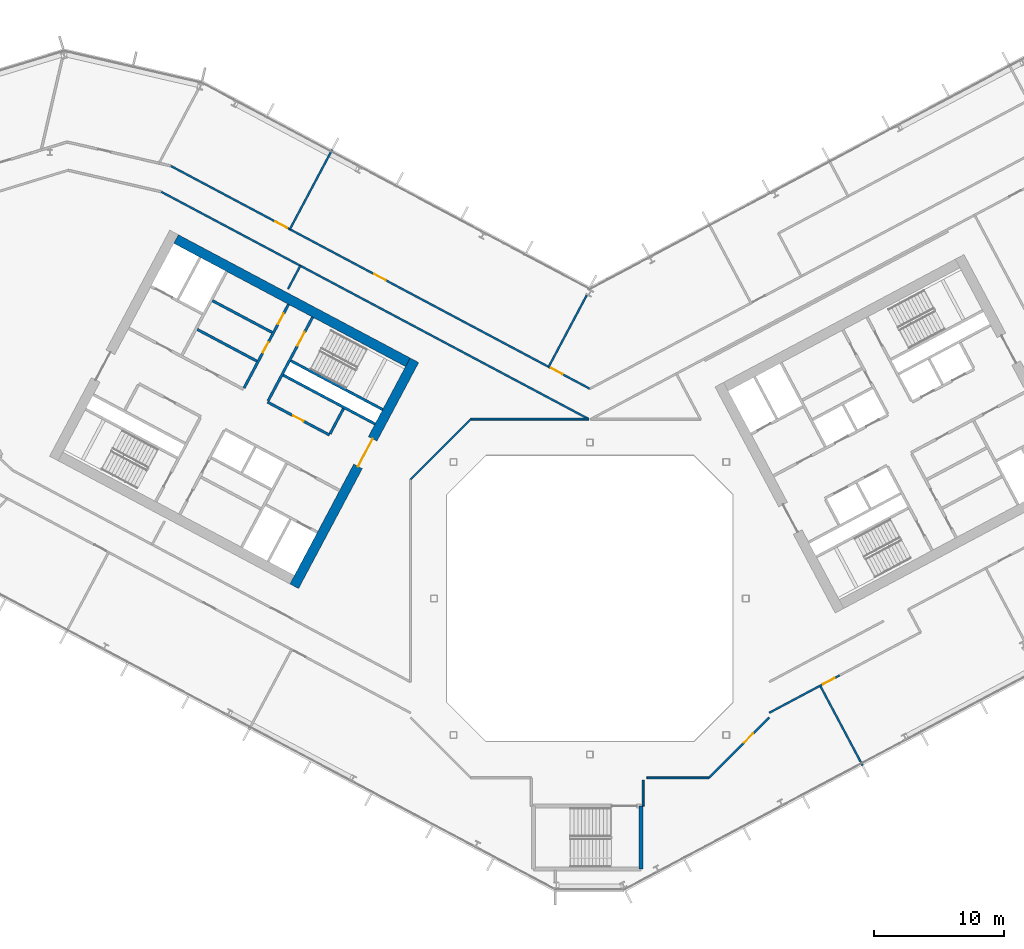
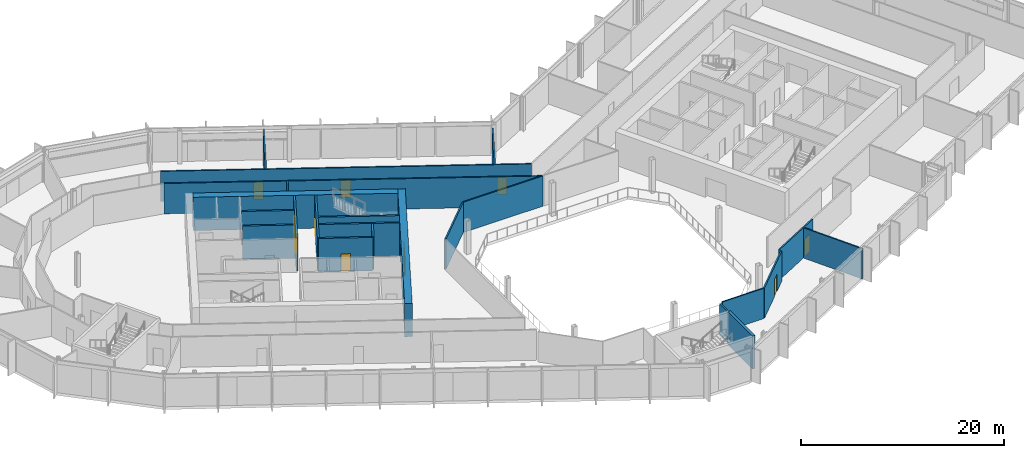
# One storey, part 15 of 28: 24 walls, 10 doors, 10 openings.
"""IFC4 building model written with IfcOpenShell, lengths in metres."""

import ifcopenshell
import ifcopenshell.guid

model = None  # the IFC model being written
_history = None  # IfcOwnerHistory: only IFC2X3 demands one
_inside = {}  # id of a spatial element -> (the spatial element, [elements in it])
_under = {}  # id of a project, library or spatial element -> (it, [spatial elements below it])
_declared = {}  # id of a project -> (the project, [libraries it declares])
_typed = {}  # id of a type object -> (the type object, [elements of that type])
_made_of = {}  # id of a material, layer set ... -> (it, [elements and type objects made of it])


def new_model(schema):
    """Start an empty IFC model of exactly this schema.

    Asked for "IFC4X3", IfcOpenShell would pick the latest addendum, in which some entities
    have other attributes; the version numbers below select the first issue.
    IFC2X3 requires an IfcOwnerHistory on every rooted entity: one is made here for all.
    """
    global model, _history
    if schema == "IFC4X3":
        model = ifcopenshell.file(schema_version=(4, 3, 0, 0))
    else:
        model = ifcopenshell.file(schema=schema)
    _inside.clear()
    _under.clear()
    _declared.clear()
    _typed.clear()
    _made_of.clear()
    _history = None
    if model.schema == "IFC2X3":
        org = make("IfcOrganization", Name="unknown")
        user = make(
            "IfcPersonAndOrganization",
            ThePerson=make("IfcPerson", FamilyName="unknown"),
            TheOrganization=org,
        )
        app = make(
            "IfcApplication",
            ApplicationDeveloper=org,
            Version="unknown",
            ApplicationFullName="unknown",
            ApplicationIdentifier="unknown",
        )
        _history = make(
            "IfcOwnerHistory",
            OwningUser=user,
            OwningApplication=app,
            ChangeAction="ADDED",
            CreationDate=0,
        )
    return model


def make(cls, **values):
    """One entity of the class cls with the attributes given. An attribute that is None is left unset."""
    return model.create_entity(
        cls, **{name: value for name, value in values.items() if value is not None}
    )


def rooted(cls, **values):
    """An entity with a GlobalId (a new one), such as an element, a storey or a relation."""
    return make(cls, GlobalId=ifcopenshell.guid.new(), OwnerHistory=_history, **values)


def si_unit(unit_type, name, prefix=None):
    """IfcSIUnit, for example si_unit("LENGTHUNIT", "METRE", prefix="MILLI")."""
    return make("IfcSIUnit", UnitType=unit_type, Prefix=prefix, Name=name)


def assignment(units):
    """IfcUnitAssignment: the units of a project."""
    return None if units is None else make("IfcUnitAssignment", Units=units)


def point(xyz):
    """IfcCartesianPoint."""
    return None if xyz is None else make("IfcCartesianPoint", Coordinates=xyz)


def direction(xyz):
    """IfcDirection."""
    return None if xyz is None else make("IfcDirection", DirectionRatios=xyz)


def frame(location, z_axis=None, x_axis=None):
    """IfcAxis2Placement3D, a coordinate frame: its origin and axes. An axis left out is left unset."""
    return make(
        "IfcAxis2Placement3D",
        Location=point(location),
        Axis=direction(z_axis),
        RefDirection=direction(x_axis),
    )


def frame_2d(location, x_axis=None):
    """IfcAxis2Placement2D, a coordinate frame in the plane: its origin and x axis."""
    return make(
        "IfcAxis2Placement2D", Location=point(location), RefDirection=direction(x_axis)
    )


def origin():
    """The frame at (0, 0, 0) with its axes left unset."""
    return frame((0.0, 0.0, 0.0))


def place(relative_to, where):
    """IfcLocalPlacement: puts the frame where relative to a parent placement (None: the world)."""
    return make(
        "IfcLocalPlacement", PlacementRelTo=relative_to, RelativePlacement=where
    )


def context(
    kind, dimensions, precision=None, world=None, true_north=None, identifier=None
):
    """IfcGeometricRepresentationContext, for example the 3D "Model" context."""
    return make(
        "IfcGeometricRepresentationContext",
        ContextIdentifier=identifier,
        ContextType=kind,
        CoordinateSpaceDimension=dimensions,
        Precision=precision,
        WorldCoordinateSystem=world,
        TrueNorth=true_north,
    )


def subcontext(parent, identifier, kind, view, scale=None):
    """IfcGeometricRepresentationSubContext, for example "Body" below "Model"."""
    return make(
        "IfcGeometricRepresentationSubContext",
        ContextIdentifier=identifier,
        ContextType=kind,
        ParentContext=parent,
        TargetScale=scale,
        TargetView=view,
    )


def project(units=None, contexts=None):
    """IfcProject with its units and contexts."""
    return rooted(
        "IfcProject",
        Name="project",
        RepresentationContexts=contexts,
        UnitsInContext=assignment(units),
    )


def spatial(cls, under=None, at=None, **own):
    """A site, building, storey or space (cls), placed at a placement, below another one or the project."""
    s = rooted(cls, ObjectPlacement=at, **own)
    if under is not None:
        _under.setdefault(under.id(), (under, []))[1].append(s)
    return s


def profile(cls, at=None, kind="AREA", **sizes):
    """A parametric profile (cls). Its sizes go by their IFC names, for example OverallWidth=200.0."""
    return make(cls, ProfileType=kind, Position=at, **sizes)


def rectangle(**sizes):
    """IfcRectangleProfileDef."""
    return profile("IfcRectangleProfileDef", **sizes)


def extrude(swept, where, along, depth):
    """IfcExtrudedAreaSolid: the profile swept, set in the frame where, extruded along a direction by depth."""
    return make(
        "IfcExtrudedAreaSolid",
        SweptArea=swept,
        Position=where,
        ExtrudedDirection=direction(along),
        Depth=depth,
    )


def shape(context_of_items, identifier, shape_type, items):
    """IfcShapeRepresentation: the items that make up one representation, for example the "Body"."""
    return make(
        "IfcShapeRepresentation",
        ContextOfItems=context_of_items,
        RepresentationIdentifier=identifier,
        RepresentationType=shape_type,
        Items=items,
    )


def material(Name=None, Category=None):
    """IfcMaterial."""
    return make("IfcMaterial", Name=Name, Category=Category)


def layer(
    of_material, thickness, ventilated=None, Name=None, Category=None, Priority=None
):
    """IfcMaterialLayer: one layer of a wall or slab, of a material (None: an air gap)."""
    return make(
        "IfcMaterialLayer",
        Material=of_material,
        LayerThickness=thickness,
        IsVentilated=ventilated,
        Name=Name,
        Category=Category,
        Priority=Priority,
    )


def layer_set(layers, Name=None):
    """IfcMaterialLayerSet."""
    return make("IfcMaterialLayerSet", MaterialLayers=layers, LayerSetName=Name)


def made_of(thing, what):
    """Note that an element or type object is made of a material, layer set ...; save() writes the relation."""
    if what is not None:
        _made_of.setdefault(what.id(), (what, []))[1].append(thing)
    return thing


def type_object(cls, material=None, **own):
    """A type object (cls), such as IfcWallType, which elements share."""
    return made_of(rooted(cls, **own), material)


def element(
    cls,
    number,
    at=None,
    inside=None,
    cuts=None,
    type_object=None,
    material=None,
    context=None,
    identifier="Body",
    shape_type=None,
    held_by="IfcProductDefinitionShape",
    body=None,
    shapes=None,
    **own,
):
    """One element of the class cls, such as IfcWall. Its Tag is "e" and its number.

    at: its placement. inside: the storey or other place that contains it. cuts: it is an
    opening in that element (IfcRelVoidsElement). A single representation is given by context,
    identifier, shape_type and body (its items); several are given by shapes. held_by: the class
    of the entity that holds the representations. save() writes the other relations.
    """
    e = rooted(cls, Tag="e%d" % number, ObjectPlacement=at, **own)
    if body is not None:
        shapes = [shape(context, identifier, shape_type, body)]
    if shapes is not None:
        e.Representation = make(held_by, Representations=shapes)
    if inside is not None:
        _inside.setdefault(inside.id(), (inside, []))[1].append(e)
    if cuts is not None:
        rooted(
            "IfcRelVoidsElement", RelatingBuildingElement=cuts, RelatedOpeningElement=e
        )
    if type_object is not None:
        _typed.setdefault(type_object.id(), (type_object, []))[1].append(e)
    return made_of(e, material)


def fill(opening, filler):
    """IfcRelFillsElement: the door or window that sits in an opening."""
    return rooted(
        "IfcRelFillsElement",
        RelatingOpeningElement=opening,
        RelatedBuildingElement=filler,
    )


def aggregate(whole, parts):
    """IfcRelAggregates: a whole, such as a stair, and the parts it consists of."""
    return rooted("IfcRelAggregates", RelatingObject=whole, RelatedObjects=parts)


def save(model, path):
    """Write the relations noted so far, then the file.

    IfcRelAggregates (storeys below a building ...), IfcRelContainedInSpatialStructure (elements
    in a storey), IfcRelDefinesByType, IfcRelAssociatesMaterial and IfcRelDeclares: one each for
    every whole, place, type object, material and project.
    """
    for whole, parts in _under.values():
        aggregate(whole, parts)
    for where, things in _inside.values():
        rooted(
            "IfcRelContainedInSpatialStructure",
            RelatedElements=things,
            RelatingStructure=where,
        )
    for kind, things in _typed.values():
        rooted("IfcRelDefinesByType", RelatedObjects=things, RelatingType=kind)
    for what, things in _made_of.values():
        rooted("IfcRelAssociatesMaterial", RelatedObjects=things, RelatingMaterial=what)
    for by, libraries in _declared.values():
        rooted("IfcRelDeclares", RelatingContext=by, RelatedDefinitions=libraries)
    model.write(path)


model = new_model("IFC4")

# Units and contexts
model_context = context("Model", 3, precision=1e-05, world=origin(), true_north=direction((0.0, 1.0)))
body_context = subcontext(model_context, "Body", "Model", "MODEL_VIEW")
ifc_project = project(units=[si_unit("LENGTHUNIT", "METRE"), si_unit("AREAUNIT", "SQUARE_METRE"), si_unit("VOLUMEUNIT", "CUBIC_METRE"), si_unit("PLANEANGLEUNIT", "RADIAN"), si_unit("MASSUNIT", "GRAM", prefix="KILO")], contexts=[model_context])

# Site, building, storey
site_placement = place(None, origin())
site = spatial("IfcSite", under=ifc_project, at=site_placement, CompositionType="ELEMENT")
building_placement = place(site_placement, origin())
building = spatial("IfcBuilding", under=site, at=building_placement, Name="Cormorant Relay Tower", CompositionType="ELEMENT")
storey_placement = place(building_placement, frame((0.0, 0.0, 130.199951171875)))
storey = spatial("IfcBuildingStorey", under=building, at=storey_placement, Name="L26", CompositionType="ELEMENT", Elevation=130.199951171875)

# Walls
ifc_material_1 = material(Name="Concrete 40 MPa", Category="concrete")
ifc_layer_1 = layer(ifc_material_1, 0.199951171875)
ifc_layer_set_1 = layer_set([ifc_layer_1], Name="Core internal wall 200")
wall_type_1 = type_object("IfcWallType", Name="Core internal wall 200", PredefinedType="SOLIDWALL", material=ifc_layer_set_1)
wall_1_placement = place(storey_placement, frame((-24.449462890625, 20.474853515625, 0.0), z_axis=(0.0, 0.0, 1.0), x_axis=(-0.882934506056, 0.469496174655, 0.0)))
element("IfcWall", 1, at=wall_1_placement, inside=storey, type_object=wall_type_1, Name="L26 core A shaft and room wall", PredefinedType="SOLIDWALL", context=body_context, shape_type="SweptSolid", body=[
    extrude(rectangle(XDim=5.199951171875, YDim=0.199951171875, at=frame_2d((2.60009765625, 0.0))), origin(), (0.0, 0.0, 1.0), 4.0),
])
ifc_material_2 = material(Name="Concrete 50 MPa", Category="concrete")
ifc_layer_2 = layer(ifc_material_2, 0.199951171875)
ifc_layer_set_2 = layer_set([ifc_layer_2], Name="Core shaft wall 200")
wall_type_2 = type_object("IfcWallType", Name="Core shaft wall 200", PredefinedType="SHEAR", material=ifc_layer_set_2)
wall_2_placement = place(storey_placement, frame((-18.959716796875, 14.611328125, 0.0), z_axis=(0.0, 0.0, 1.0), x_axis=(-0.4694473164, -0.882960484464, 0.0)))
element("IfcWall", 2, at=wall_2_placement, inside=storey, type_object=wall_type_2, Name="L26 core A shaft wall", PredefinedType="SHEAR", context=body_context, shape_type="SweptSolid", body=[
    extrude(rectangle(XDim=2.199951171875, YDim=0.199951171875, at=frame_2d((1.10009765625, 0.0))), origin(), (0.0, 0.0, 1.0), 4.0),
])

# Wall, opening, door
wall_3_placement = place(storey_placement, frame((-21.333251953125, 21.6494140625, 0.0), z_axis=(0.0, 0.0, 1.0), x_axis=(-0.469494272526, -0.882935517501, 0.0)))
wall_3 = element("IfcWall", 3, at=wall_3_placement, inside=storey, type_object=wall_type_2, Name="L26 core A shaft wall", PredefinedType="SHEAR", context=body_context, shape_type="SweptSolid", body=[
    extrude(rectangle(XDim=7.2998046875, YDim=0.199951171875, at=frame_2d((3.64990234375, 0.0))), origin(), (0.0, 0.0, 1.0), 4.0),
])
opening_1_placement = place(wall_3_placement, frame((1.300048828125, 0.0, 0.0)))
opening_1 = element("IfcOpeningElement", 4, at=opening_1_placement, cuts=wall_3, Name="Opening CDB-034", PredefinedType="OPENING", context=body_context, shape_type="SweptSolid", body=[
    extrude(rectangle(XDim=1.199951171875, YDim=2.10009765625, at=frame_2d((0.60009765625, 1.050048828125))), frame((0.0, 0.10986328125, 0.0), z_axis=(0.0, -1.0, 0.0), x_axis=(1.0, 0.0, 0.0)), (0.0, 0.0, 1.0), 0.219970703125),
])
ifc_material_3 = material(Name="Steel fire door", Category="steel")
door_type_1 = type_object("IfcDoorType", Name="Core stair door 1200x2100", OperationType="SINGLE_SWING_LEFT", PredefinedType="DOOR", material=ifc_material_3)
door_1_placement = place(opening_1_placement, origin())
door_1 = element("IfcDoor", 5, at=door_1_placement, inside=storey, type_object=door_type_1, Name="Core stair door 1200x2100", OperationType="SINGLE_SWING_RIGHT", OverallHeight=2.10009765625, OverallWidth=1.199951171875, PredefinedType="DOOR", context=body_context, shape_type="SweptSolid", body=[
    extrude(rectangle(XDim=1.199951171875, YDim=2.10009765625, at=frame_2d((0.60009765625, 1.050048828125))), frame((0.0, 0.02490234375, 0.0), z_axis=(0.0, -1.0, 0.0), x_axis=(1.0, 0.0, 0.0)), (0.0, 0.0, 1.0), 0.050048828125),
])
fill(opening_1, door_1)

# Wall, openings, doors
wall_4_placement = place(storey_placement, frame((-23.1875, 22.635498046875, 0.0), z_axis=(0.0, 0.0, 1.0), x_axis=(-0.469454336211, -0.882956752176, 0.0)))
wall_4 = element("IfcWall", 6, at=wall_4_placement, inside=storey, type_object=wall_type_2, Name="L26 core A shaft wall", PredefinedType="SHEAR", context=body_context, shape_type="SweptSolid", body=[
    extrude(rectangle(XDim=7.300048828125, YDim=0.199951171875, at=frame_2d((3.64990234375, 0.0))), origin(), (0.0, 0.0, 1.0), 4.0),
])
opening_2_placement = place(wall_4_placement, frame((0.800048828125, 0.0, 0.0)))
opening_2 = element("IfcOpeningElement", 7, at=opening_2_placement, cuts=wall_4, Name="Opening CDD-189", PredefinedType="OPENING", context=body_context, shape_type="SweptSolid", body=[
    extrude(rectangle(XDim=0.89990234375, YDim=2.10009765625, at=frame_2d((0.449951171875, 1.050048828125))), frame((0.0, 0.10986328125, 0.0), z_axis=(0.0, -1.0, 0.0), x_axis=(1.0, 0.0, 0.0)), (0.0, 0.0, 1.0), 0.219970703125),
])
opening_3_placement = place(wall_4_placement, frame((3.300048828125, 0.0, 0.0)))
opening_3 = element("IfcOpeningElement", 8, at=opening_3_placement, cuts=wall_4, Name="Opening CDD-190", PredefinedType="OPENING", context=body_context, shape_type="SweptSolid", body=[
    extrude(rectangle(XDim=0.89990234375, YDim=2.10009765625, at=frame_2d((0.449951171875, 1.050048828125))), frame((0.0, 0.10986328125, 0.0), z_axis=(0.0, -1.0, 0.0), x_axis=(1.0, 0.0, 0.0)), (0.0, 0.0, 1.0), 0.219970703125),
])
ifc_material_4 = material(Name="Steel fire door", Category="steel")
door_type_2 = type_object("IfcDoorType", Name="Core room door 900x2100", OperationType="SINGLE_SWING_LEFT", PredefinedType="DOOR", material=ifc_material_4)
door_2_placement = place(opening_2_placement, frame((0.89990234375, 0.0, 0.0), z_axis=(0.0, 0.0, 1.0), x_axis=(-1.0, 0.0, 0.0)))
door_2 = element("IfcDoor", 9, at=door_2_placement, inside=storey, type_object=door_type_2, Name="Core room door 900x2100", OperationType="SINGLE_SWING_LEFT", OverallHeight=2.10009765625, OverallWidth=0.89990234375, PredefinedType="DOOR", context=body_context, shape_type="SweptSolid", body=[
    extrude(rectangle(XDim=0.89990234375, YDim=2.10009765625, at=frame_2d((0.449951171875, 1.050048828125))), frame((0.0, 0.02490234375, 0.0), z_axis=(0.0, -1.0, 0.0), x_axis=(1.0, 0.0, 0.0)), (0.0, 0.0, 1.0), 0.050048828125),
])
fill(opening_2, door_2)
door_3_placement = place(opening_3_placement, frame((0.89990234375, 0.0, 0.0), z_axis=(0.0, 0.0, 1.0), x_axis=(-1.0, 0.0, 0.0)))
door_3 = element("IfcDoor", 10, at=door_3_placement, inside=storey, type_object=door_type_2, Name="Core room door 900x2100", OperationType="SINGLE_SWING_RIGHT", OverallHeight=2.10009765625, OverallWidth=0.89990234375, PredefinedType="DOOR", context=body_context, shape_type="SweptSolid", body=[
    extrude(rectangle(XDim=0.89990234375, YDim=2.10009765625, at=frame_2d((0.449951171875, 1.050048828125))), frame((0.0, 0.02490234375, 0.0), z_axis=(0.0, -1.0, 0.0), x_axis=(1.0, 0.0, 0.0)), (0.0, 0.0, 1.0), 0.050048828125),
])
fill(opening_3, door_3)

# Walls
wall_5_placement = place(storey_placement, frame((-15.94189453125, 14.53564453125, 0.0), z_axis=(0.0, 0.0, 1.0), x_axis=(-0.882946947542, 0.469472776449, 0.0)))
element("IfcWall", 11, at=wall_5_placement, inside=storey, type_object=wall_type_2, Name="L26 core A shaft wall", PredefinedType="SHEAR", context=body_context, shape_type="SweptSolid", body=[
    extrude(rectangle(XDim=8.000244140625, YDim=0.199951171875, at=frame_2d((4.0, 0.0))), origin(), (0.0, 0.0, 1.0), 4.0),
])
wall_6_placement = place(storey_placement, frame((-16.52880859375, 13.43212890625, 0.0), z_axis=(0.0, 0.0, 1.0), x_axis=(-0.88295287151, 0.469461634952, 0.0)))
element("IfcWall", 12, at=wall_6_placement, inside=storey, type_object=wall_type_2, Name="L26 core A shaft wall", PredefinedType="SHEAR", context=body_context, shape_type="SweptSolid", body=[
    extrude(rectangle(XDim=7.999755859375, YDim=0.199951171875, at=frame_2d((4.0, 0.0))), origin(), (0.0, 0.0, 1.0), 4.0),
])
wall_7_placement = place(storey_placement, frame((-25.623046875, 18.267578125, 0.0), z_axis=(0.0, 0.0, 1.0), x_axis=(-0.882953967957, 0.469459572775, 0.0)))
element("IfcWall", 13, at=wall_7_placement, inside=storey, type_object=wall_type_2, Name="L26 core A shaft wall", PredefinedType="SHEAR", context=body_context, shape_type="SweptSolid", body=[
    extrude(rectangle(XDim=5.199951171875, YDim=0.199951171875, at=frame_2d((2.60009765625, 0.0))), origin(), (0.0, 0.0, 1.0), 4.0),
])

# Wall, opening, door
wall_8_placement = place(storey_placement, frame((-20.03955078125, 12.58056640625, 0.0), z_axis=(0.0, 0.0, 1.0), x_axis=(-0.882942972946, 0.469480251476, 0.0)))
wall_8 = element("IfcWall", 14, at=wall_8_placement, inside=storey, type_object=wall_type_2, Name="L26 core A shaft wall", PredefinedType="SHEAR", context=body_context, shape_type="SweptSolid", body=[
    extrude(rectangle(XDim=5.39990234375, YDim=0.199951171875, at=frame_2d((2.699951171875, 0.0))), origin(), (0.0, 0.0, 1.0), 4.0),
])
opening_4_placement = place(wall_8_placement, frame((2.25, 0.0, 0.0)))
opening_4 = element("IfcOpeningElement", 15, at=opening_4_placement, cuts=wall_8, Name="Opening CDD-185", PredefinedType="OPENING", context=body_context, shape_type="SweptSolid", body=[
    extrude(rectangle(XDim=0.89990234375, YDim=2.10009765625, at=frame_2d((0.449951171875, 1.050048828125))), frame((0.0, 0.10986328125, 0.0), z_axis=(0.0, -1.0, 0.0), x_axis=(1.0, 0.0, 0.0)), (0.0, 0.0, 1.0), 0.219970703125),
])
door_4_placement = place(opening_4_placement, frame((0.89990234375, 0.0, 0.0), z_axis=(0.0, 0.0, 1.0), x_axis=(-1.0, 0.0, 0.0)))
door_4 = element("IfcDoor", 16, at=door_4_placement, inside=storey, type_object=door_type_2, Name="Core room door 900x2100", OperationType="SINGLE_SWING_RIGHT", OverallHeight=2.10009765625, OverallWidth=0.89990234375, PredefinedType="DOOR", context=body_context, shape_type="SweptSolid", body=[
    extrude(rectangle(XDim=0.89990234375, YDim=2.10009765625, at=frame_2d((0.449951171875, 1.050048828125))), frame((0.0, 0.02490234375, 0.0), z_axis=(0.0, -1.0, 0.0), x_axis=(1.0, 0.0, 0.0)), (0.0, 0.0, 1.0), 0.050048828125),
])
fill(opening_4, door_4)

ifc_material_5 = material(Name="Concrete 60 MPa", Category="concrete")
ifc_layer_3 = layer(ifc_material_5, 0.75)
ifc_layer_set_3 = layer_set([ifc_layer_3], Name="Core wall 750")
wall_type_3 = type_object("IfcWallType", Name="Core wall 750", PredefinedType="SHEAR", material=ifc_layer_set_3)
wall_9_placement = place(storey_placement, frame((-13.498291015625, 18.3330078125, 0.0), z_axis=(0.0, 0.0, 1.0), x_axis=(-0.469469918705, -0.88294846703, 0.0)))
wall_9 = element("IfcWall", 17, at=wall_9_placement, inside=storey, type_object=wall_type_3, Name="L26 core A wall", PredefinedType="SHEAR", context=body_context, shape_type="SweptSolid", body=[
    extrude(rectangle(XDim=19.699951171875, YDim=0.75, at=frame_2d((9.85009765625, 0.0))), origin(), (0.0, 0.0, 1.0), 4.0),
])
opening_5_placement = place(wall_9_placement, frame((6.85009765625, 0.0, 0.0)))
opening_5 = element("IfcOpeningElement", 18, at=opening_5_placement, cuts=wall_9, Name="Opening CDA-030", PredefinedType="OPENING", context=body_context, shape_type="SweptSolid", body=[
    extrude(rectangle(XDim=2.39990234375, YDim=2.39990234375, at=frame_2d((1.199951171875, 1.199951171875))), frame((0.0, 0.385009765625, 0.0), z_axis=(0.0, -1.0, 0.0), x_axis=(1.0, 0.0, 0.0)), (0.0, 0.0, 1.0), 0.77001953125),
])
ifc_material_6 = material(Name="Steel fire door", Category="steel")
door_type_3 = type_object("IfcDoorType", Name="Core lobby door 2400x2400", OperationType="DOUBLE_DOOR_SINGLE_SWING", PredefinedType="DOOR", material=ifc_material_6)
door_5_placement = place(opening_5_placement, frame((2.39990234375, 0.0, 0.0), z_axis=(0.0, 0.0, 1.0), x_axis=(-1.0, 0.0, 0.0)))
door_5 = element("IfcDoor", 19, at=door_5_placement, inside=storey, type_object=door_type_3, Name="Core lobby door 2400x2400", OperationType="DOUBLE_DOOR_SINGLE_SWING", OverallHeight=2.39990234375, OverallWidth=2.39990234375, PredefinedType="DOOR", context=body_context, shape_type="SweptSolid", body=[
    extrude(rectangle(XDim=2.39990234375, YDim=2.39990234375, at=frame_2d((1.199951171875, 1.199951171875))), frame((0.0, 0.02490234375, 0.0), z_axis=(0.0, -1.0, 0.0), x_axis=(1.0, 0.0, 0.0)), (0.0, 0.0, 1.0), 0.050048828125),
])
fill(opening_5, door_5)

# Walls
wall_10_placement = place(storey_placement, frame((-14.00537109375, 18.177978515625, 0.0), z_axis=(0.0, 0.0, 1.0), x_axis=(-0.88295010195, 0.469466843842, 0.0)))
element("IfcWall", 20, at=wall_10_placement, inside=storey, type_object=wall_type_3, Name="L26 core A wall", PredefinedType="SHEAR", context=body_context, shape_type="SweptSolid", body=[
    extrude(rectangle(XDim=20.199951171875, YDim=0.75, at=frame_2d((10.10009765625, 0.0))), origin(), (0.0, 0.0, 1.0), 4.0),
])
ifc_material_7 = material(Name="Gypsum board fire partition")
ifc_layer_4 = layer(ifc_material_7, 0.14990234375)
ifc_layer_set_4 = layer_set([ifc_layer_4], Name="Corridor partition 150 EI 60")
wall_type_4 = type_object("IfcWallType", Name="Corridor partition 150 EI 60", PredefinedType="PARTITIONING", material=ifc_layer_set_4)
wall_11_placement = place(storey_placement, frame((-33.0, 31.306884765625, 0.0), z_axis=(0.0, 0.0, 1.0), x_axis=(0.882966008295, -0.469436926748, 0.0)))
element("IfcWall", 21, at=wall_11_placement, inside=storey, type_object=wall_type_4, Name="wall/L26/part/023", PredefinedType="PARTITIONING", context=body_context, shape_type="SweptSolid", body=[
    extrude(rectangle(XDim=12.144287109375, YDim=0.14990234375, at=frame_2d((6.072265625, 0.0))), origin(), (0.0, 0.0, 1.0), 3.64013671875),
])

# Wall, openings, doors
wall_12_placement = place(storey_placement, frame((-32.258056640625, 33.291015625, 0.0), z_axis=(0.0, 0.0, 1.0), x_axis=(0.882945475173, -0.469475545552, 0.0)))
wall_12 = element("IfcWall", 22, at=wall_12_placement, inside=storey, type_object=wall_type_4, Name="wall/L26/part/040", PredefinedType="PARTITIONING", context=body_context, shape_type="SweptSolid", body=[
    extrude(rectangle(XDim=36.53466796875, YDim=0.14990234375, at=frame_2d((18.267333984375, 0.0))), origin(), (0.0, 0.0, 1.0), 3.64013671875),
])
opening_6_placement = place(wall_12_placement, frame((33.14990234375, 0.0, 0.0)))
opening_6 = element("IfcOpeningElement", 23, at=opening_6_placement, cuts=wall_12, Name="Opening DS-022", PredefinedType="OPENING", context=body_context, shape_type="SweptSolid", body=[
    extrude(rectangle(XDim=1.0, YDim=2.10009765625, at=frame_2d((0.5, 1.050048828125))), frame((0.0, 0.0849609375, 0.0), z_axis=(0.0, -1.0, 0.0), x_axis=(1.0, 0.0, 0.0)), (0.0, 0.0, 1.0), 0.169921875),
])
opening_7_placement = place(wall_12_placement, frame((17.75, 0.0, 0.0)))
opening_7 = element("IfcOpeningElement", 24, at=opening_7_placement, cuts=wall_12, Name="Opening DS-023", PredefinedType="OPENING", context=body_context, shape_type="SweptSolid", body=[
    extrude(rectangle(XDim=1.0, YDim=2.10009765625, at=frame_2d((0.5, 1.050048828125))), frame((0.0, 0.0849609375, 0.0), z_axis=(0.0, -1.0, 0.0), x_axis=(1.0, 0.0, 0.0)), (0.0, 0.0, 1.0), 0.169921875),
])
opening_8_placement = place(wall_12_placement, frame((9.14892578125, 0.0, 0.0)))
opening_8 = element("IfcOpeningElement", 25, at=opening_8_placement, cuts=wall_12, Name="Opening DS-024", PredefinedType="OPENING", context=body_context, shape_type="SweptSolid", body=[
    extrude(rectangle(XDim=1.0, YDim=2.10009765625, at=frame_2d((0.5, 1.050048828125))), frame((0.0, 0.0849609375, 0.0), z_axis=(0.0, -1.0, 0.0), x_axis=(1.0, 0.0, 0.0)), (0.0, 0.0, 1.0), 0.169921875),
])
ifc_material_8 = material(Name="Timber door leaf", Category="wood")
door_type_4 = type_object("IfcDoorType", Name="Suite door 1000x2100", OperationType="SINGLE_SWING_LEFT", PredefinedType="DOOR", material=ifc_material_8)
door_6_placement = place(opening_6_placement, origin())
door_6 = element("IfcDoor", 26, at=door_6_placement, inside=storey, type_object=door_type_4, Name="door/L26/009", OperationType="SINGLE_SWING_LEFT", OverallHeight=2.10009765625, OverallWidth=1.0, PredefinedType="DOOR", context=body_context, shape_type="SweptSolid", body=[
    extrude(rectangle(XDim=1.0, YDim=2.10009765625, at=frame_2d((0.5, 1.050048828125))), frame((0.0, 0.02490234375, 0.0), z_axis=(0.0, -1.0, 0.0), x_axis=(1.0, 0.0, 0.0)), (0.0, 0.0, 1.0), 0.050048828125),
])
fill(opening_6, door_6)
door_7_placement = place(opening_7_placement, origin())
door_7 = element("IfcDoor", 27, at=door_7_placement, inside=storey, type_object=door_type_4, Name="door/L26/010", OperationType="SINGLE_SWING_RIGHT", OverallHeight=2.10009765625, OverallWidth=1.0, PredefinedType="DOOR", context=body_context, shape_type="SweptSolid", body=[
    extrude(rectangle(XDim=1.0, YDim=2.10009765625, at=frame_2d((0.5, 1.050048828125))), frame((0.0, 0.02490234375, 0.0), z_axis=(0.0, -1.0, 0.0), x_axis=(1.0, 0.0, 0.0)), (0.0, 0.0, 1.0), 0.050048828125),
])
fill(opening_7, door_7)
door_8_placement = place(opening_8_placement, origin())
door_8 = element("IfcDoor", 28, at=door_8_placement, inside=storey, type_object=door_type_4, Name="door/L26/011", OperationType="SINGLE_SWING_RIGHT", OverallHeight=2.10009765625, OverallWidth=1.0, PredefinedType="DOOR", context=body_context, shape_type="SweptSolid", body=[
    extrude(rectangle(XDim=1.0, YDim=2.10009765625, at=frame_2d((0.5, 1.050048828125))), frame((0.0, 0.02490234375, 0.0), z_axis=(0.0, -1.0, 0.0), x_axis=(1.0, 0.0, 0.0)), (0.0, 0.0, 1.0), 0.050048828125),
])
fill(opening_8, door_8)

# Walls
wall_13_placement = place(storey_placement, frame((-0.073974609375, 13.800048828125, 0.0), z_axis=(0.0, 0.0, 1.0), x_axis=(-0.8829426933, 0.4694807774, 0.0)))
element("IfcWall", 29, at=wall_13_placement, inside=storey, type_object=wall_type_4, Name="wall/L26/part/043", PredefinedType="PARTITIONING", context=body_context, shape_type="SweptSolid", body=[
    extrude(rectangle(XDim=25.146728515625, YDim=0.14990234375, at=frame_2d((12.5732421875, 0.0))), origin(), (0.0, 0.0, 1.0), 3.64013671875),
])
wall_14_placement = place(storey_placement, frame((-0.073974609375, 13.800048828125, 0.0), z_axis=(0.0, 0.0, 1.0), x_axis=(-1.0, 0.0, 0.0)))
element("IfcWall", 30, at=wall_14_placement, inside=storey, type_object=wall_type_4, Name="wall/L26/part/045", PredefinedType="PARTITIONING", context=body_context, shape_type="SweptSolid", body=[
    extrude(rectangle(XDim=9.0859375, YDim=0.14990234375, at=frame_2d((4.54296875, 0.0))), origin(), (0.0, 0.0, 1.0), 3.64013671875),
])
wall_15_placement = place(storey_placement, frame((-9.159912109375, 13.800048828125, 0.0), z_axis=(0.0, 0.0, 1.0), x_axis=(-0.707106781187, -0.707106781187, 0.0)))
element("IfcWall", 31, at=wall_15_placement, inside=storey, type_object=wall_type_4, Name="wall/L26/part/046", PredefinedType="PARTITIONING", context=body_context, shape_type="SweptSolid", body=[
    extrude(rectangle(XDim=6.562255859375, YDim=0.14990234375, at=frame_2d((3.28125, 0.0))), origin(), (0.0, 0.0, 1.0), 3.64013671875),
])
wall_16_placement = place(storey_placement, frame((4.10009765625, -15.97509765625, 0.0), z_axis=(0.0, 0.0, 1.0), x_axis=(0.0, 1.0, 0.0)))
element("IfcWall", 32, at=wall_16_placement, inside=storey, type_object=wall_type_4, Name="wall/L26/part/053", PredefinedType="PARTITIONING", context=body_context, shape_type="SweptSolid", body=[
    extrude(rectangle(XDim=1.9970703125, YDim=0.14990234375, at=frame_2d((0.99853515625, 0.0))), origin(), (0.0, 0.0, 1.0), 3.64013671875),
])

# Wall, opening, door
wall_17_placement = place(storey_placement, frame((13.800048828125, -9.159912109375, 0.0), z_axis=(0.0, 0.0, 1.0), x_axis=(-0.707106781187, -0.707106781187, 0.0)))
wall_17 = element("IfcWall", 33, at=wall_17_placement, inside=storey, type_object=wall_type_4, Name="wall/L26/part/054", PredefinedType="PARTITIONING", context=body_context, shape_type="SweptSolid", body=[
    extrude(rectangle(XDim=6.562255859375, YDim=0.14990234375, at=frame_2d((3.28125, 0.0))), origin(), (0.0, 0.0, 1.0), 3.64013671875),
])
opening_9_placement = place(wall_17_placement, frame((1.75, 0.0, 0.0)))
opening_9 = element("IfcOpeningElement", 34, at=opening_9_placement, cuts=wall_17, Name="Opening DS-018", PredefinedType="OPENING", context=body_context, shape_type="SweptSolid", body=[
    extrude(rectangle(XDim=1.0, YDim=2.10009765625, at=frame_2d((0.5, 1.050048828125))), frame((0.0, 0.0849609375, 0.0), z_axis=(0.0, -1.0, 0.0), x_axis=(1.0, 0.0, 0.0)), (0.0, 0.0, 1.0), 0.169921875),
])
door_9_placement = place(opening_9_placement, origin())
door_9 = element("IfcDoor", 35, at=door_9_placement, inside=storey, type_object=door_type_4, Name="door/L26/003", OperationType="SINGLE_SWING_LEFT", OverallHeight=2.10009765625, OverallWidth=1.0, PredefinedType="DOOR", context=body_context, shape_type="SweptSolid", body=[
    extrude(rectangle(XDim=1.0, YDim=2.10009765625, at=frame_2d((0.5, 1.050048828125))), frame((0.0, 0.02490234375, 0.0), z_axis=(0.0, -1.0, 0.0), x_axis=(1.0, 0.0, 0.0)), (0.0, 0.0, 1.0), 0.050048828125),
])
fill(opening_9, door_9)

# Wall
wall_18_placement = place(storey_placement, frame((9.159912109375, -13.800048828125, 0.0), z_axis=(0.0, 0.0, 1.0), x_axis=(-1.0, 0.0, 0.0)))
element("IfcWall", 36, at=wall_18_placement, inside=storey, type_object=wall_type_4, Name="wall/L26/part/055", PredefinedType="PARTITIONING", context=body_context, shape_type="SweptSolid", body=[
    extrude(rectangle(XDim=4.760986328125, YDim=0.14990234375, at=frame_2d((2.38037109375, 0.0))), origin(), (0.0, 0.0, 1.0), 3.64013671875),
])

# Wall, opening, door
wall_19_placement = place(storey_placement, frame((19.216064453125, -5.922119140625, 0.0), z_axis=(0.0, 0.0, 1.0), x_axis=(-0.882938387259, -0.469488875591, 0.0)))
wall_19 = element("IfcWall", 37, at=wall_19_placement, inside=storey, type_object=wall_type_4, Name="wall/L26/part/057", PredefinedType="PARTITIONING", context=body_context, shape_type="SweptSolid", body=[
    extrude(rectangle(XDim=6.134033203125, YDim=0.14990234375, at=frame_2d((3.06689453125, 0.0))), origin(), (0.0, 0.0, 1.0), 3.64013671875),
])
opening_10_placement = place(wall_19_placement, frame((0.449951171875, 0.0, 0.0)))
opening_10 = element("IfcOpeningElement", 38, at=opening_10_placement, cuts=wall_19, Name="Opening DS-019", PredefinedType="OPENING", context=body_context, shape_type="SweptSolid", body=[
    extrude(rectangle(XDim=1.0, YDim=2.10009765625, at=frame_2d((0.5, 1.050048828125))), frame((0.0, 0.0849609375, 0.0), z_axis=(0.0, -1.0, 0.0), x_axis=(1.0, 0.0, 0.0)), (0.0, 0.0, 1.0), 0.169921875),
])
door_10_placement = place(opening_10_placement, origin())
door_10 = element("IfcDoor", 39, at=door_10_placement, inside=storey, type_object=door_type_4, Name="door/L26/004", OperationType="SINGLE_SWING_RIGHT", OverallHeight=2.10009765625, OverallWidth=1.0, PredefinedType="DOOR", context=body_context, shape_type="SweptSolid", body=[
    extrude(rectangle(XDim=1.0, YDim=2.10009765625, at=frame_2d((0.5, 1.050048828125))), frame((0.0, 0.02490234375, 0.0), z_axis=(0.0, -1.0, 0.0), x_axis=(1.0, 0.0, 0.0)), (0.0, 0.0, 1.0), 0.050048828125),
])
fill(opening_10, door_10)

# Walls
ifc_material_9 = material(Name="Concrete 50 MPa", Category="concrete")
ifc_layer_5 = layer(ifc_material_9, 0.300048828125)
ifc_layer_set_5 = layer_set([ifc_layer_5], Name="Remote stair wall 300")
wall_type_5 = type_object("IfcWallType", Name="Remote stair wall 300", PredefinedType="SHEAR", material=ifc_layer_set_5)
wall_20_placement = place(storey_placement, frame((3.949951171875, -15.97509765625, 0.0), z_axis=(0.0, 0.0, 1.0), x_axis=(0.0, -1.0, 0.0)))
element("IfcWall", 40, at=wall_20_placement, inside=storey, type_object=wall_type_5, Name="L26 exit stair RK1 wall", PredefinedType="SHEAR", context=body_context, shape_type="SweptSolid", body=[
    extrude(rectangle(XDim=4.849853515625, YDim=0.300048828125, at=frame_2d((2.4248046875, 0.0))), origin(), (0.0, 0.0, 1.0), 4.0),
])
ifc_material_10 = material(Name="Gypsum board partition")
ifc_layer_6 = layer(ifc_material_10, 0.14990234375)
ifc_layer_set_6 = layer_set([ifc_layer_6], Name="Tenant partition 150")
wall_type_6 = type_object("IfcWallType", Name="Tenant partition 150", PredefinedType="PARTITIONING", material=ifc_layer_set_6)
wall_21_placement = place(storey_placement, frame((-19.822021484375, 34.550048828125, 0.0), z_axis=(0.0, 0.0, 1.0), x_axis=(-0.469455680488, -0.882956037443, 0.0)))
element("IfcWall", 41, at=wall_21_placement, inside=storey, type_object=wall_type_6, Name="wall/L26/part/039", PredefinedType="PARTITIONING", context=body_context, shape_type="SweptSolid", body=[
    extrude(rectangle(XDim=6.950439453125, YDim=0.14990234375, at=frame_2d((3.47509765625, 0.0))), origin(), (0.0, 0.0, 1.0), 3.64013671875),
])
wall_22_placement = place(storey_placement, frame((-22.277099609375, 25.60595703125, 0.0), z_axis=(0.0, 0.0, 1.0), x_axis=(-0.469295881328, -0.88304098193, 0.0)))
element("IfcWall", 42, at=wall_22_placement, inside=storey, type_object=wall_type_6, Name="wall/L26/part/042", PredefinedType="PARTITIONING", context=body_context, shape_type="SweptSolid", body=[
    extrude(rectangle(XDim=2.030517578125, YDim=0.14990234375, at=frame_2d((1.01513671875, 0.0))), origin(), (0.0, 0.0, 1.0), 3.64013671875),
])
wall_23_placement = place(storey_placement, frame((-0.22412109375, 23.364013671875, 0.0), z_axis=(0.0, 0.0, 1.0), x_axis=(-0.469363853193, -0.883004854639, 0.0)))
element("IfcWall", 43, at=wall_23_placement, inside=storey, type_object=wall_type_6, Name="wall/L26/part/044", PredefinedType="PARTITIONING", context=body_context, shape_type="SweptSolid", body=[
    extrude(rectangle(XDim=6.274169921875, YDim=0.14990234375, at=frame_2d((3.13720703125, 0.0))), origin(), (0.0, 0.0, 1.0), 3.64013671875),
])
wall_24_placement = place(storey_placement, frame((17.72705078125, -6.712890625, 0.0), z_axis=(0.0, 0.0, 1.0), x_axis=(0.469441120945, -0.8829637784, 0.0)))
element("IfcWall", 44, at=wall_24_placement, inside=storey, type_object=wall_type_6, Name="wall/L26/part/056", PredefinedType="PARTITIONING", context=body_context, shape_type="SweptSolid", body=[
    extrude(rectangle(XDim=6.95068359375, YDim=0.14990234375, at=frame_2d((3.475341796875, 0.0))), origin(), (0.0, 0.0, 1.0), 3.64013671875),
])

save(model, "model.ifc")
